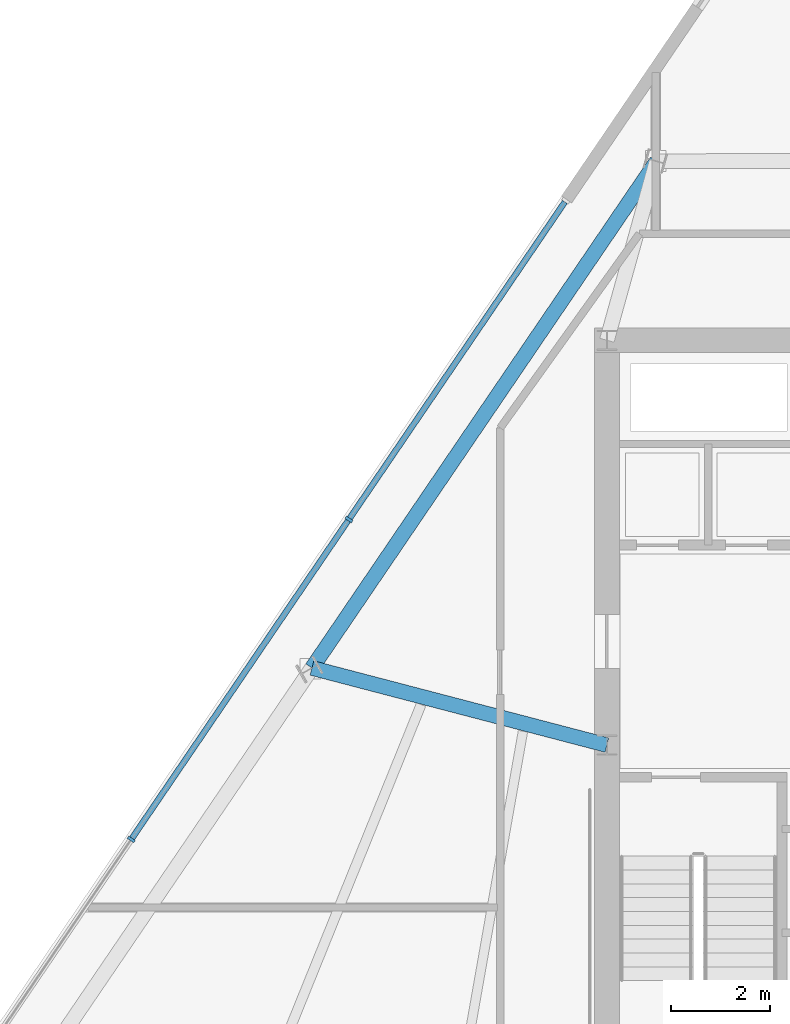
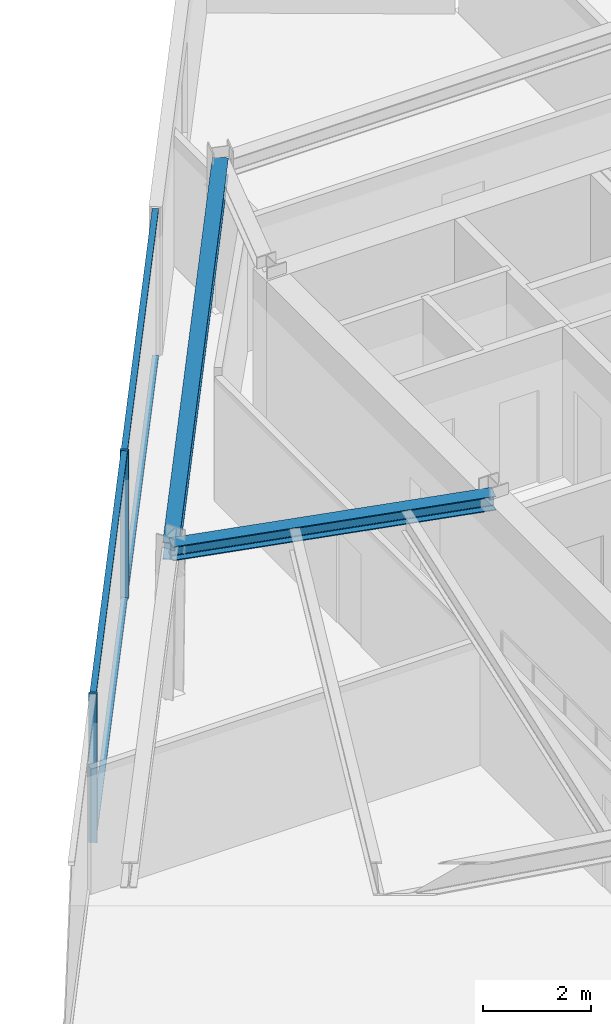
# One storey, part 4 of 13: 6 members, 2 beams, 1 element without a shape of its own.
"""IFC4 building model written with IfcOpenShell, lengths in metres."""

from ifc_helpers import new_model, si_unit, direction, frame, origin, origin_2d, place, context, subcontext, project, spatial, rectangle, i_section, extrude, material, material_profile, profile_set, type_object, element, aggregate, save


model = new_model("IFC4")

# Units and contexts
model_context = context("Model", 3, precision=1e-05, world=origin(), true_north=direction((0.0, 1.0)))
body_context = subcontext(model_context, "Body", "Model", "MODEL_VIEW")
ifc_project = project(units=[si_unit("LENGTHUNIT", "METRE"), si_unit("AREAUNIT", "SQUARE_METRE"), si_unit("VOLUMEUNIT", "CUBIC_METRE"), si_unit("PLANEANGLEUNIT", "RADIAN"), si_unit("MASSUNIT", "GRAM", prefix="KILO")], contexts=[model_context])

# Site, building, storey
site_placement = place(None, origin())
site = spatial("IfcSite", under=ifc_project, at=site_placement, CompositionType="ELEMENT")
building_placement = place(site_placement, origin())
building = spatial("IfcBuilding", under=site, at=building_placement, Name="Savorim Split Tower", CompositionType="ELEMENT")
storey_placement = place(building_placement, frame((0.0, 0.0, 174.60009765625)))
storey = spatial("IfcBuildingStorey", under=building, at=storey_placement, Name="L46", CompositionType="ELEMENT", Elevation=174.60009765625)

# Beams
ifc_material_1 = material(Name="Steel S355", Category="steel")
ifc_material_profile_1 = material_profile(ifc_material_1, i_section(OverallWidth=0.300048828125, OverallDepth=0.320068359375, WebThickness=0.011474609375, FlangeThickness=0.0205078125, FilletRadius=0.027099609375, at=origin_2d()), Name="HEB 320")
ifc_profile_set_1 = profile_set([ifc_material_profile_1], Name="Steel S355")
beam_type_1 = type_object("IfcBeamType", Name="BM-PRI-HEB320", PredefinedType="BEAM", material=ifc_profile_set_1)
beam_1_placement = place(storey_placement, frame((-13.6748046875, 3.5625, 3.18994140625), z_axis=(0.967465126467, -0.253004405238, 0.0), x_axis=(0.253004405238, 0.967465126467, 0.0)))
element("IfcBeam", 1, at=beam_1_placement, inside=storey, type_object=beam_type_1, Name="L46 Primary Floor Girder RG-09", PredefinedType="BEAM", context=body_context, shape_type="SweptSolid", body=[
    extrude(i_section(OverallWidth=0.300048828125, OverallDepth=0.320068359375, WebThickness=0.011474609375, FlangeThickness=0.0205078125, FilletRadius=0.027099609375, at=origin_2d()), origin(), (0.0, 0.0, 1.0), 6.17578125),
])
ifc_material_profile_2 = material_profile(ifc_material_1, i_section(OverallWidth=0.300048828125, OverallDepth=0.389892578125, WebThickness=0.010986328125, FlangeThickness=0.01904296875, FilletRadius=0.027099609375, at=origin_2d()), Name="HEA 400")
ifc_profile_set_2 = profile_set([ifc_material_profile_2], Name="Steel S355")
beam_type_2 = type_object("IfcBeamType", Name="BM-SPN-HEA400", PredefinedType="SPANDREL", material=ifc_profile_set_2)
beam_2_placement = place(storey_placement, frame((-6.6923828125, 13.826171875, 3.15478515625), z_axis=(-0.562482151088, -0.826809427684, 0.0), x_axis=(0.826809427684, -0.562482151088, 0.0)))
element("IfcBeam", 2, at=beam_2_placement, inside=storey, type_object=beam_type_2, Name="L46 Perimeter Spandrel Beam 8", PredefinedType="SPANDREL", context=body_context, shape_type="SweptSolid", body=[
    extrude(i_section(OverallWidth=0.300048828125, OverallDepth=0.389892578125, WebThickness=0.010986328125, FlangeThickness=0.01904296875, FilletRadius=0.027099609375, at=origin_2d()), origin(), (0.0, 0.0, 1.0), 12.41357421875),
])

# Curtain wall, members
ifc_material_2 = material(Name="Dark Ceramic-Fritted Insulated Glass", Category="glass")
curtain_wall_type = type_object("IfcCurtainWallType", Name="CW-TWR-FRIT-B", PredefinedType="NOTDEFINED", material=ifc_material_2)
curtain_wall_placement = place(storey_placement, origin())
curtain_wall = element("IfcCurtainWall", 3, at=curtain_wall_placement, inside=storey, type_object=curtain_wall_type, Name="L46 Curtain Wall CW-L46-WEST", PredefinedType="NOTDEFINED")
ifc_material_3 = material(Name="Charcoal Anodised Aluminium", Category="aluminium")
ifc_material_profile_3 = material_profile(ifc_material_3, rectangle(XDim=0.159912109375, YDim=0.06005859375, at=origin_2d()), Name="ALU-M 160x60")
ifc_profile_set_3 = profile_set([ifc_material_profile_3], Name="Charcoal Anodised Aluminium")
member_type_1 = type_object("IfcMemberType", Name="CWM-160x60", PredefinedType="MULLION", material=ifc_profile_set_3)
member_1_placement = place(storey_placement, frame((-12.926513671875, 6.571533203125, 0.0), z_axis=(0.0, 0.0, 1.0), x_axis=(0.826819248854, -0.562467714384, 0.0)))
member_1 = element("IfcMember", 4, at=member_1_placement, type_object=member_type_1, Name="CW-03 mullion 2", PredefinedType="MULLION", context=body_context, shape_type="SweptSolid", body=[
    extrude(rectangle(XDim=0.159912109375, YDim=0.06005859375, at=origin_2d()), origin(), (0.0, 0.0, 1.0), 3.349853515625),
])
member_2_placement = place(storey_placement, frame((-17.336181640625, 0.089599609375, 0.0), z_axis=(0.0, 0.0, 1.0), x_axis=(0.826819248854, -0.562467714384, 0.0)))
member_2 = element("IfcMember", 5, at=member_2_placement, type_object=member_type_1, Name="CW-03 mullion 3", PredefinedType="MULLION", context=body_context, shape_type="SweptSolid", body=[
    extrude(rectangle(XDim=0.159912109375, YDim=0.06005859375, at=origin_2d()), origin(), (0.0, 0.0, 1.0), 3.349853515625),
])
ifc_material_profile_4 = material_profile(ifc_material_3, rectangle(XDim=0.1201171875, YDim=0.050048828125, at=origin_2d()), Name="ALU-T 120x50")
ifc_profile_set_4 = profile_set([ifc_material_profile_4], Name="Charcoal Anodised Aluminium")
member_type_2 = type_object("IfcMemberType", Name="CWT-120x50", PredefinedType="USERDEFINED", material=ifc_profile_set_4)
member_3_placement = place(storey_placement, frame((-8.55078125, 13.00390625, 0.02490234375), z_axis=(-0.56245477499, -0.826828051103, 0.0), x_axis=(0.826828051103, -0.56245477499, 0.0)))
member_3 = element("IfcMember", 6, at=member_3_placement, type_object=member_type_2, Name="CW-03 transom 1.1", ObjectType="TRANSOM", PredefinedType="USERDEFINED", context=body_context, shape_type="SweptSolid", body=[
    extrude(rectangle(XDim=0.1201171875, YDim=0.050048828125, at=origin_2d()), origin(), (0.0, 0.0, 1.0), 7.749755859375),
])
member_4_placement = place(storey_placement, frame((-8.55078125, 13.00390625, 3.324951171875), z_axis=(-0.56245477499, -0.826828051103, 0.0), x_axis=(0.826828051103, -0.56245477499, 0.0)))
member_4 = element("IfcMember", 7, at=member_4_placement, type_object=member_type_2, Name="CW-03 transom 1.2", ObjectType="TRANSOM", PredefinedType="USERDEFINED", context=body_context, shape_type="SweptSolid", body=[
    extrude(rectangle(XDim=0.1201171875, YDim=0.050048828125, at=origin_2d()), origin(), (0.0, 0.0, 1.0), 7.749755859375),
])
member_5_placement = place(storey_placement, frame((-12.943359375, 6.546630859375, 0.02490234375), z_axis=(-0.562497133678, -0.826799234763, 0.0), x_axis=(0.826799234763, -0.562497133678, 0.0)))
member_5 = element("IfcMember", 8, at=member_5_placement, type_object=member_type_2, Name="CW-03 transom 2.1", ObjectType="TRANSOM", PredefinedType="USERDEFINED", context=body_context, shape_type="SweptSolid", body=[
    extrude(rectangle(XDim=0.1201171875, YDim=0.050048828125, at=origin_2d()), origin(), (0.0, 0.0, 1.0), 7.779541015625),
])
member_6_placement = place(storey_placement, frame((-12.943359375, 6.546630859375, 3.324951171875), z_axis=(-0.562497133678, -0.826799234763, 0.0), x_axis=(0.826799234763, -0.562497133678, 0.0)))
member_6 = element("IfcMember", 9, at=member_6_placement, type_object=member_type_2, Name="CW-03 transom 2.2", ObjectType="TRANSOM", PredefinedType="USERDEFINED", context=body_context, shape_type="SweptSolid", body=[
    extrude(rectangle(XDim=0.1201171875, YDim=0.050048828125, at=origin_2d()), origin(), (0.0, 0.0, 1.0), 7.779541015625),
])
aggregate(curtain_wall, [member_1, member_2, member_3, member_4, member_5, member_6])

save(model, "model.ifc")
